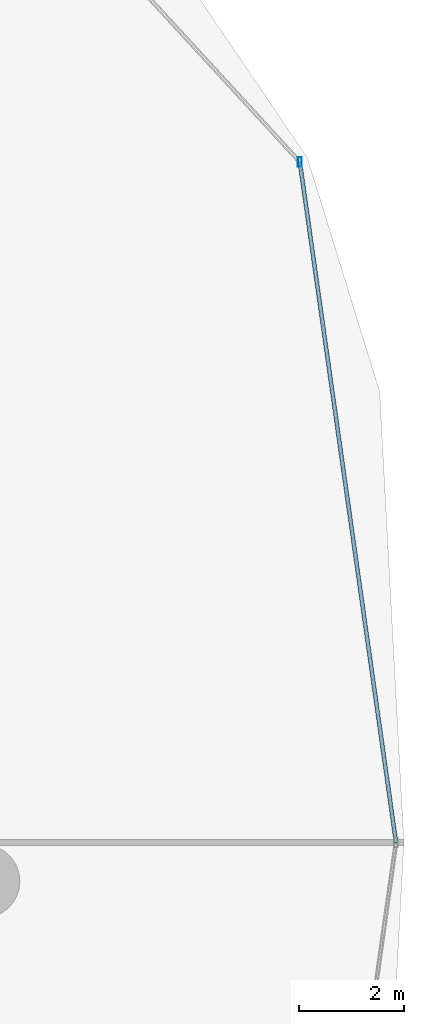
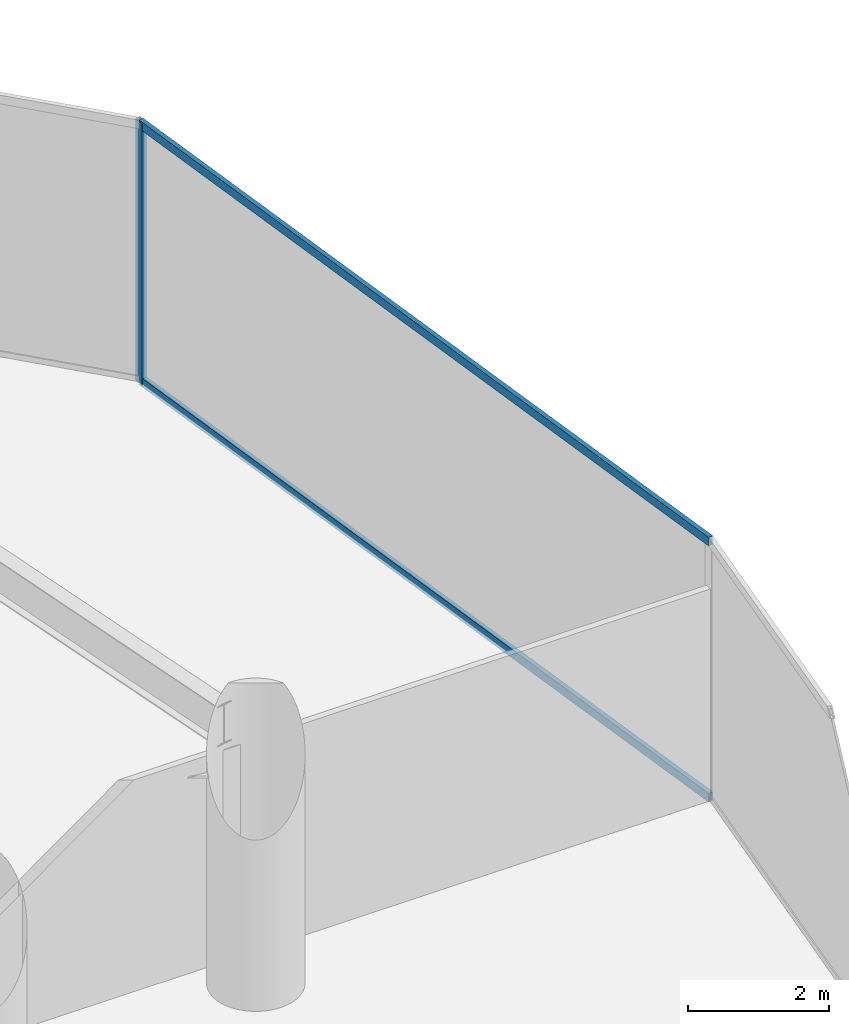
# One storey, part 22 of 30: 3 members, 1 element without a shape of its own.
"""IFC4 building model written with IfcOpenShell, lengths in metres."""

from ifc_helpers import new_model, si_unit, direction, frame, origin, origin_2d, place, context, subcontext, project, spatial, hollow_rectangle, extrude, material, material_profile, profile_set, type_object, element, aggregate, save


model = new_model("IFC4")

# Units and contexts
model_context = context("Model", 3, precision=1e-05, world=origin(), true_north=direction((0.0, 1.0)))
body_context = subcontext(model_context, "Body", "Model", "MODEL_VIEW")
ifc_project = project(units=[si_unit("LENGTHUNIT", "METRE"), si_unit("AREAUNIT", "SQUARE_METRE"), si_unit("VOLUMEUNIT", "CUBIC_METRE"), si_unit("PLANEANGLEUNIT", "RADIAN"), si_unit("MASSUNIT", "GRAM", prefix="KILO")], contexts=[model_context])

# Site, building, storey
site_placement = place(None, origin())
site = spatial("IfcSite", under=ifc_project, at=site_placement, CompositionType="ELEMENT")
building_placement = place(site_placement, origin())
building = spatial("IfcBuilding", under=site, at=building_placement, Name="Vorneva Point Tower", CompositionType="ELEMENT")
storey_placement = place(building_placement, frame((0.0, 0.0, 9.60009765625)))
storey = spatial("IfcBuildingStorey", under=building, at=storey_placement, Name="L02", CompositionType="ELEMENT", Elevation=9.60009765625)

# Curtain wall, members
ifc_material = material(Name="Pale anodised aluminium", Category="aluminium")
curtain_wall_type = type_object("IfcCurtainWallType", Name="CW-POD-SYS", PredefinedType="NOTDEFINED", material=ifc_material)
curtain_wall_placement = place(storey_placement, origin())
curtain_wall = element("IfcCurtainWall", 1, at=curtain_wall_placement, inside=storey, type_object=curtain_wall_type, Name="L02 Unitised Curtain Wall CW-L02-R01", PredefinedType="NOTDEFINED")
ifc_material_profile_1 = material_profile(ifc_material, hollow_rectangle(XDim=0.074951171875, YDim=0.179931640625, WallThickness=0.00390625, at=origin_2d()), Name="AL-MUL 180x75x4")
ifc_profile_set_1 = profile_set([ifc_material_profile_1], Name="Pale anodised aluminium")
member_type_1 = type_object("IfcMemberType", Name="CW-MUL-180", PredefinedType="MULLION", material=ifc_profile_set_1)
member_1_placement = place(storey_placement, frame((71.230712890625, 39.001708984375, -0.0400390625), z_axis=(0.0, 0.0, 1.0), x_axis=(1.0, 0.0, 0.0)))
member_1 = element("IfcMember", 2, at=member_1_placement, type_object=member_type_1, Name="CW-L02-R01 Mullion 04", PredefinedType="MULLION", context=body_context, shape_type="SweptSolid", body=[
    extrude(hollow_rectangle(XDim=0.074951171875, YDim=0.179931640625, WallThickness=0.00390625, at=origin_2d()), origin(), (0.0, 0.0, 1.0), 4.550048828125),
])
ifc_material_profile_2 = material_profile(ifc_material, hollow_rectangle(XDim=0.074951171875, YDim=0.14990234375, WallThickness=0.00390625, at=origin_2d()), Name="AL-TRN 150x75x4")
ifc_profile_set_2 = profile_set([ifc_material_profile_2], Name="Pale anodised aluminium")
member_type_2 = type_object("IfcMemberType", Name="CW-TRN-150", PredefinedType="USERDEFINED", material=ifc_profile_set_2)
member_2_placement = place(storey_placement, frame((73.068359375, 26.0, 0.02001953125), z_axis=(-0.139947907185, 0.990158867695, 0.0), x_axis=(-0.990158867695, -0.139947907185, 0.0)))
member_2 = element("IfcMember", 3, at=member_2_placement, type_object=member_type_2, Name="CW-L02-R01 Transom 03.1", ObjectType="TRANSOM", PredefinedType="USERDEFINED", context=body_context, shape_type="SweptSolid", body=[
    extrude(hollow_rectangle(XDim=0.074951171875, YDim=0.14990234375, WallThickness=0.00390625, at=origin_2d()), origin(), (0.0, 0.0, 1.0), 13.130859375),
])
member_3_placement = place(storey_placement, frame((73.068359375, 26.0, 4.4599609375), z_axis=(-0.139947907185, 0.990158867695, 0.0), x_axis=(-0.990158867695, -0.139947907185, 0.0)))
member_3 = element("IfcMember", 4, at=member_3_placement, type_object=member_type_2, Name="CW-L02-R01 Transom 03.2", ObjectType="TRANSOM", PredefinedType="USERDEFINED", context=body_context, shape_type="SweptSolid", body=[
    extrude(hollow_rectangle(XDim=0.074951171875, YDim=0.14990234375, WallThickness=0.00390625, at=origin_2d()), origin(), (0.0, 0.0, 1.0), 13.130859375),
])
aggregate(curtain_wall, [member_1, member_2, member_3])

save(model, "model.ifc")
